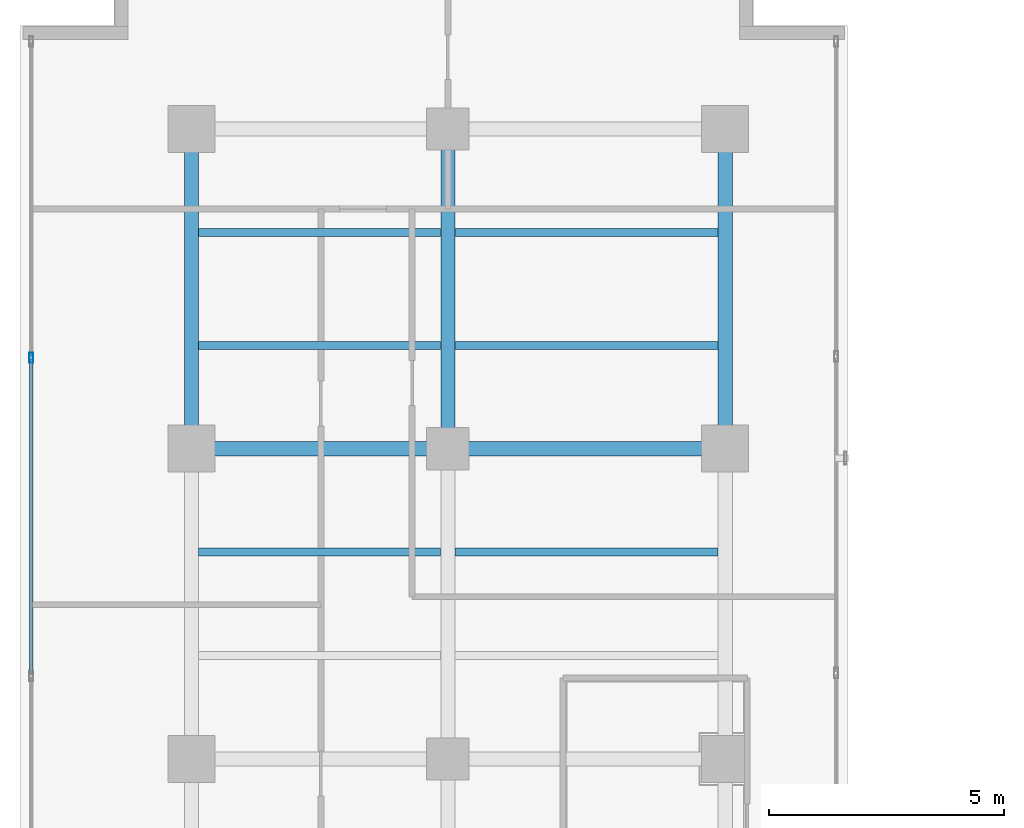
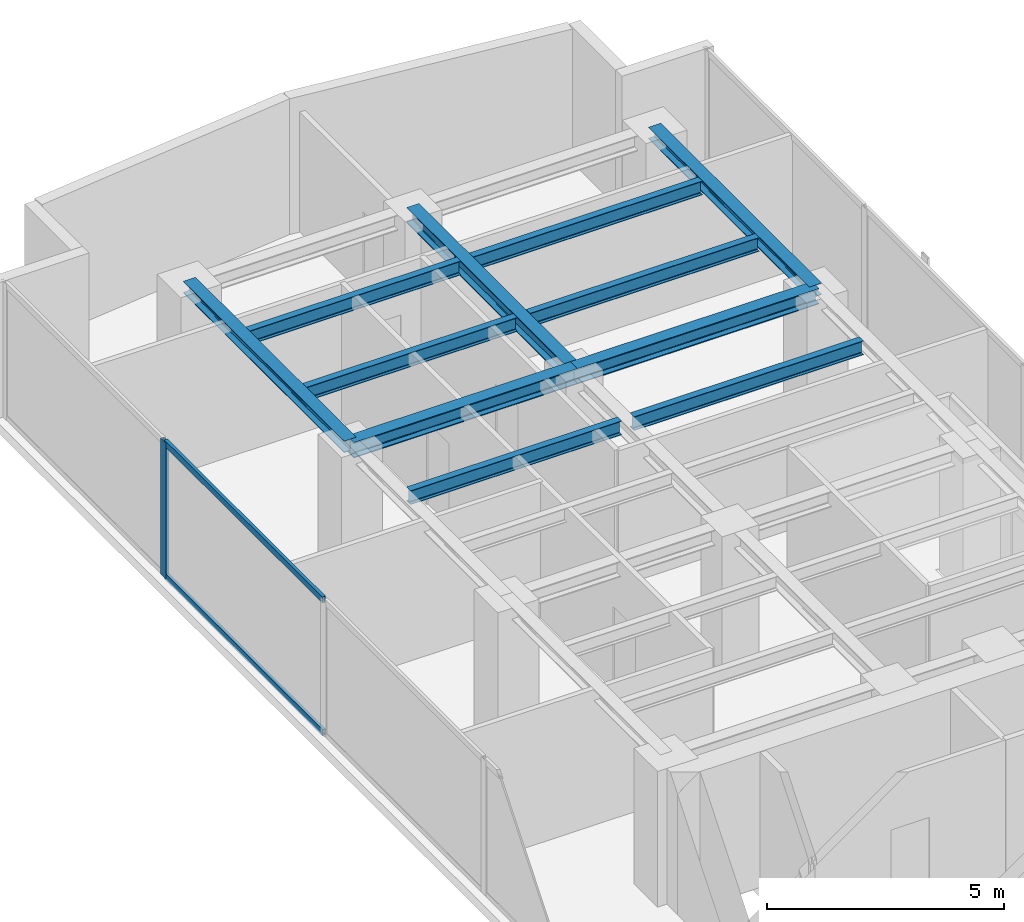
# One storey, part 13 of 22: 11 beams, 3 members, 1 element without a shape of its own.
"""IFC4 building model written with IfcOpenShell, lengths in metres."""

from ifc_helpers import new_model, si_unit, direction, frame, origin, origin_with_axes, origin_2d, place, context, subcontext, project, spatial, hollow_rectangle, i_section, extrude, source, transform, mapped, material, layer, layer_set, material_profile, profile_set, type_object, element, aggregate, save


model = new_model("IFC4")

# Units and contexts
model_context = context("Model", 3, precision=1e-05, world=origin(), true_north=direction((0.0, 1.0)))
body_context = subcontext(model_context, "Body", "Model", "MODEL_VIEW")
ifc_project = project(units=[si_unit("LENGTHUNIT", "METRE"), si_unit("AREAUNIT", "SQUARE_METRE"), si_unit("VOLUMEUNIT", "CUBIC_METRE"), si_unit("PLANEANGLEUNIT", "RADIAN"), si_unit("MASSUNIT", "GRAM", prefix="KILO")], contexts=[model_context])

# Site, building, storey
site_placement = place(None, origin())
site = spatial("IfcSite", under=ifc_project, at=site_placement, CompositionType="ELEMENT")
building_placement = place(site_placement, origin())
building = spatial("IfcBuilding", under=site, at=building_placement, Name="Kolvaren Waterfront Exchange", CompositionType="ELEMENT")
storey_placement = place(building_placement, frame((0.0, 0.0, 219.699951171875)))
storey = spatial("IfcBuildingStorey", under=building, at=storey_placement, Name="L56", CompositionType="ELEMENT", Elevation=219.699951171875)

# Beams
ifc_material_1 = material(Name="Steel S355", Category="steel")
ifc_material_profile_1 = material_profile(ifc_material_1, i_section(OverallWidth=0.300048828125, OverallDepth=0.300048828125, WebThickness=0.010986328125, FlangeThickness=0.01904296875, FilletRadius=0.027099609375, at=origin_2d()), Name="HEB300")
ifc_profile_set_1 = profile_set([ifc_material_profile_1], Name="Steel S355")
beam_type_1 = type_object("IfcBeamType", Name="STR-BM-HEB300", PredefinedType="SPANDREL", material=ifc_profile_set_1)
for number, where, z_axis, x_axis, name in (
    (1, (7.449951171875, 37.800048828125, 3.35009765625), (0.0, 1.0, 0.0), (-1.0, 0.0, 0.0), "L56 north-arm edge beam 3"),
    (2, (18.800048828125, 37.800048828125, 3.35009765625), (0.0, 1.0, 0.0), (-1.0, 0.0, 0.0), "L56 north-arm edge beam 3"),
):
    element("IfcBeam", number, at=place(storey_placement, frame(where, z_axis=z_axis, x_axis=x_axis)), inside=storey, type_object=beam_type_1, Name=name, PredefinedType="SPANDREL", context=body_context, shape_type="SweptSolid", body=[
        extrude(i_section(OverallWidth=0.300048828125, OverallDepth=0.300048828125, WebThickness=0.010986328125, FlangeThickness=0.01904296875, FilletRadius=0.027099609375, at=origin_2d()), origin(), (0.0, 0.0, 1.0), 6.800048828125),
    ])
ifc_material_profile_2 = material_profile(ifc_material_1, i_section(OverallWidth=0.300048828125, OverallDepth=0.39990234375, WebThickness=0.013427734375, FlangeThickness=0.02392578125, FilletRadius=0.027099609375, at=origin_2d()), Name="HEB400")
ifc_profile_set_2 = profile_set([ifc_material_profile_2], Name="Steel S355")
beam_type_2 = type_object("IfcBeamType", Name="STR-BM-HEB400", PredefinedType="BEAM", material=ifc_profile_set_2)
beam_1_placement = place(storey_placement, frame((7.449951171875, 37.800048828125, 3.300048828125), z_axis=(1.0, 0.0, 0.0), x_axis=(0.0, 1.0, 0.0)))
element("IfcBeam", 3, at=beam_1_placement, inside=storey, type_object=beam_type_2, Name="L56 north-arm girder 3A", PredefinedType="BEAM", context=body_context, shape_type="SweptSolid", body=[
    extrude(i_section(OverallWidth=0.300048828125, OverallDepth=0.39990234375, WebThickness=0.013427734375, FlangeThickness=0.02392578125, FilletRadius=0.027099609375, at=origin_2d()), origin(), (0.0, 0.0, 1.0), 5.449951171875),
])
beam_2_placement = place(storey_placement, frame((12.89990234375, 37.800048828125, 3.300048828125), z_axis=(1.0, 0.0, 0.0), x_axis=(0.0, 1.0, 0.0)))
element("IfcBeam", 4, at=beam_2_placement, inside=storey, type_object=beam_type_2, Name="L56 north-arm girder 3B", PredefinedType="BEAM", context=body_context, shape_type="SweptSolid", body=[
    extrude(i_section(OverallWidth=0.300048828125, OverallDepth=0.39990234375, WebThickness=0.013427734375, FlangeThickness=0.02392578125, FilletRadius=0.027099609375, at=origin_2d()), origin(), (0.0, 0.0, 1.0), 5.900146484375),
])
beam_3_placement = place(storey_placement, frame((12.89990234375, 37.800048828125, 3.300048828125), z_axis=(0.0, 1.0, 0.0), x_axis=(-1.0, 0.0, 0.0)))
element("IfcBeam", 5, at=beam_3_placement, inside=storey, type_object=beam_type_2, Name="L56 north-arm edge beam 3", PredefinedType="BEAM", context=body_context, shape_type="SweptSolid", body=[
    extrude(i_section(OverallWidth=0.300048828125, OverallDepth=0.39990234375, WebThickness=0.013427734375, FlangeThickness=0.02392578125, FilletRadius=0.027099609375, at=origin_2d()), origin(), (0.0, 0.0, 1.0), 6.800048828125),
])
ifc_material_profile_3 = material_profile(ifc_material_1, i_section(OverallWidth=0.169921875, OverallDepth=0.360107421875, WebThickness=0.008056640625, FlangeThickness=0.0126953125, FilletRadius=0.01806640625, at=origin_2d()), Name="IPE360")
ifc_profile_set_3 = profile_set([ifc_material_profile_3], Name="Steel S355")
beam_type_3 = type_object("IfcBeamType", Name="STR-BM-IPE360", PredefinedType="JOIST", material=ifc_profile_set_3)
beam_4_placement = place(storey_placement, frame((7.60205078125, 35.60009765625, 3.320068359375), z_axis=(1.0, 0.0, 0.0), x_axis=(0.0, 1.0, 0.0)))
element("IfcBeam", 6, at=beam_4_placement, inside=storey, type_object=beam_type_3, Name="L56 north-arm composite joist 4A", PredefinedType="JOIST", context=body_context, shape_type="SweptSolid", body=[
    extrude(i_section(OverallWidth=0.169921875, OverallDepth=0.360107421875, WebThickness=0.008056640625, FlangeThickness=0.0126953125, FilletRadius=0.01806640625, at=origin_2d()), origin(), (0.0, 0.0, 1.0), 5.14599609375),
])
beam_5_placement = place(storey_placement, frame((13.052001953125, 35.60009765625, 3.320068359375), z_axis=(1.0, 0.0, 0.0), x_axis=(0.0, 1.0, 0.0)))
element("IfcBeam", 7, at=beam_5_placement, inside=storey, type_object=beam_type_3, Name="L56 north-arm composite joist 4B", PredefinedType="JOIST", context=body_context, shape_type="SweptSolid", body=[
    extrude(i_section(OverallWidth=0.169921875, OverallDepth=0.360107421875, WebThickness=0.008056640625, FlangeThickness=0.0126953125, FilletRadius=0.01806640625, at=origin_2d()), origin(), (0.0, 0.0, 1.0), 5.595947265625),
])
beam_6_placement = place(storey_placement, frame((7.60205078125, 40.0, 3.320068359375), z_axis=(1.0, 0.0, 0.0), x_axis=(0.0, 1.0, 0.0)))
element("IfcBeam", 8, at=beam_6_placement, inside=storey, type_object=beam_type_3, Name="L56 north-arm composite joist 5A", PredefinedType="JOIST", context=body_context, shape_type="SweptSolid", body=[
    extrude(i_section(OverallWidth=0.169921875, OverallDepth=0.360107421875, WebThickness=0.008056640625, FlangeThickness=0.0126953125, FilletRadius=0.01806640625, at=origin_2d()), origin(), (0.0, 0.0, 1.0), 5.14599609375),
])
beam_7_placement = place(storey_placement, frame((13.052001953125, 40.0, 3.320068359375), z_axis=(1.0, 0.0, 0.0), x_axis=(0.0, 1.0, 0.0)))
element("IfcBeam", 9, at=beam_7_placement, inside=storey, type_object=beam_type_3, Name="L56 north-arm composite joist 5B", PredefinedType="JOIST", context=body_context, shape_type="SweptSolid", body=[
    extrude(i_section(OverallWidth=0.169921875, OverallDepth=0.360107421875, WebThickness=0.008056640625, FlangeThickness=0.0126953125, FilletRadius=0.01806640625, at=origin_2d()), origin(), (0.0, 0.0, 1.0), 5.595947265625),
])
beam_8_placement = place(storey_placement, frame((7.60205078125, 42.39990234375, 3.320068359375), z_axis=(1.0, 0.0, 0.0), x_axis=(0.0, 1.0, 0.0)))
element("IfcBeam", 10, at=beam_8_placement, inside=storey, type_object=beam_type_3, Name="L56 north-arm composite joist 6A", PredefinedType="JOIST", context=body_context, shape_type="SweptSolid", body=[
    extrude(i_section(OverallWidth=0.169921875, OverallDepth=0.360107421875, WebThickness=0.008056640625, FlangeThickness=0.0126953125, FilletRadius=0.01806640625, at=origin_2d()), origin(), (0.0, 0.0, 1.0), 5.14599609375),
])
beam_9_placement = place(storey_placement, frame((13.052001953125, 42.39990234375, 3.320068359375), z_axis=(1.0, 0.0, 0.0), x_axis=(0.0, 1.0, 0.0)))
element("IfcBeam", 11, at=beam_9_placement, inside=storey, type_object=beam_type_3, Name="L56 north-arm composite joist 6B", PredefinedType="JOIST", context=body_context, shape_type="SweptSolid", body=[
    extrude(i_section(OverallWidth=0.169921875, OverallDepth=0.360107421875, WebThickness=0.008056640625, FlangeThickness=0.0126953125, FilletRadius=0.01806640625, at=origin_2d()), origin(), (0.0, 0.0, 1.0), 5.595947265625),
])

# Curtain wall, members
ifc_material_2 = material(Name="Anodised aluminium 6063-T6", Category="aluminium")
ifc_layer = layer(ifc_material_2, 0.219970703125, Name="Anodised aluminium 6063-T6")
ifc_layer_set = layer_set([ifc_layer], Name="Anodised aluminium 6063-T6")
curtain_wall_type = type_object("IfcCurtainWallType", Name="ARC-CW-SYS2", PredefinedType="USERDEFINED", material=ifc_layer_set)
curtain_wall_placement = place(storey_placement, origin())
curtain_wall = element("IfcCurtainWall", 12, at=curtain_wall_placement, inside=storey, type_object=curtain_wall_type, Name="L56 stick curtain wall CW2 (CW-L56-W)", ObjectType="STICK CURTAIN WALL", PredefinedType="USERDEFINED")
ifc_material_profile_4 = material_profile(ifc_material_2, hollow_rectangle(XDim=0.080078125, YDim=0.219970703125, WallThickness=0.0048828125, at=origin_2d()), Name="ALU-MUL-220x80x5")
ifc_profile_set_4 = profile_set([ifc_material_profile_4], Name="Anodised aluminium 6063-T6")
member_type_1 = type_object("IfcMemberType", Name="ARC-CWM-220", PredefinedType="MULLION", material=ifc_profile_set_4)
shared_shape_1 = source(origin_with_axes(), body_context, "Body", "SweptSolid", [
    extrude(hollow_rectangle(XDim=0.080078125, YDim=0.219970703125, WallThickness=0.0048828125, at=origin_2d()), origin(), (0.0, 0.0, 1.0), 3.5),
])
member_1_placement = place(storey_placement, frame((4.0400390625, 39.7333984375, 0.0), z_axis=(0.0, 0.0, 1.0), x_axis=(-1.0, 0.0, 0.0)))
member_1 = element("IfcMember", 13, at=member_1_placement, type_object=member_type_1, Name="CW2 mullion 6", PredefinedType="MULLION", context=body_context, shape_type="MappedRepresentation", body=[
    mapped(shared_shape_1, transform((0.0, 0.0, 0.0), x_axis=(1.0, 0.0, 0.0), y_axis=(0.0, 1.0, 0.0), z_axis=(0.0, 0.0, 1.0), scale=1.0)),
])
ifc_material_profile_5 = material_profile(ifc_material_2, hollow_rectangle(XDim=0.074951171875, YDim=0.159912109375, WallThickness=0.00439453125, at=origin_2d()), Name="ALU-TRN-160x75x4.5")
ifc_profile_set_5 = profile_set([ifc_material_profile_5], Name="Anodised aluminium 6063-T6")
member_type_2 = type_object("IfcMemberType", Name="ARC-CWT-160", PredefinedType="USERDEFINED", material=ifc_profile_set_5)
shared_shape_2 = source(origin_with_axes(), body_context, "Body", "SweptSolid", [
    extrude(hollow_rectangle(XDim=0.074951171875, YDim=0.159912109375, WallThickness=0.00439453125, at=origin_2d()), origin(), (0.0, 0.0, 1.0), 6.686767578125),
])
member_2_placement = place(storey_placement, frame((4.0400390625, 33.006591796875, 0.03759765625), z_axis=(0.0, 1.0, 0.0), x_axis=(-1.0, 0.0, 0.0)))
member_2 = element("IfcMember", 14, at=member_2_placement, type_object=member_type_2, Name="CW2 transom 5.1", ObjectType="TRANSOM", PredefinedType="USERDEFINED", context=body_context, shape_type="MappedRepresentation", body=[
    mapped(shared_shape_2, transform((0.0, 0.0, 0.0), x_axis=(1.0, 0.0, 0.0), y_axis=(0.0, 1.0, 0.0), z_axis=(0.0, 0.0, 1.0), scale=1.0)),
])
member_3_placement = place(storey_placement, frame((4.0400390625, 33.006591796875, 3.462646484375), z_axis=(0.0, 1.0, 0.0), x_axis=(-1.0, 0.0, 0.0)))
member_3 = element("IfcMember", 15, at=member_3_placement, type_object=member_type_2, Name="CW2 transom 5.2", ObjectType="TRANSOM", PredefinedType="USERDEFINED", context=body_context, shape_type="MappedRepresentation", body=[
    mapped(shared_shape_2, transform((0.0, 0.0, 0.0), x_axis=(1.0, 0.0, 0.0), y_axis=(0.0, 1.0, 0.0), z_axis=(0.0, 0.0, 1.0), scale=1.0)),
])
aggregate(curtain_wall, [member_1, member_2, member_3])

save(model, "model.ifc")
